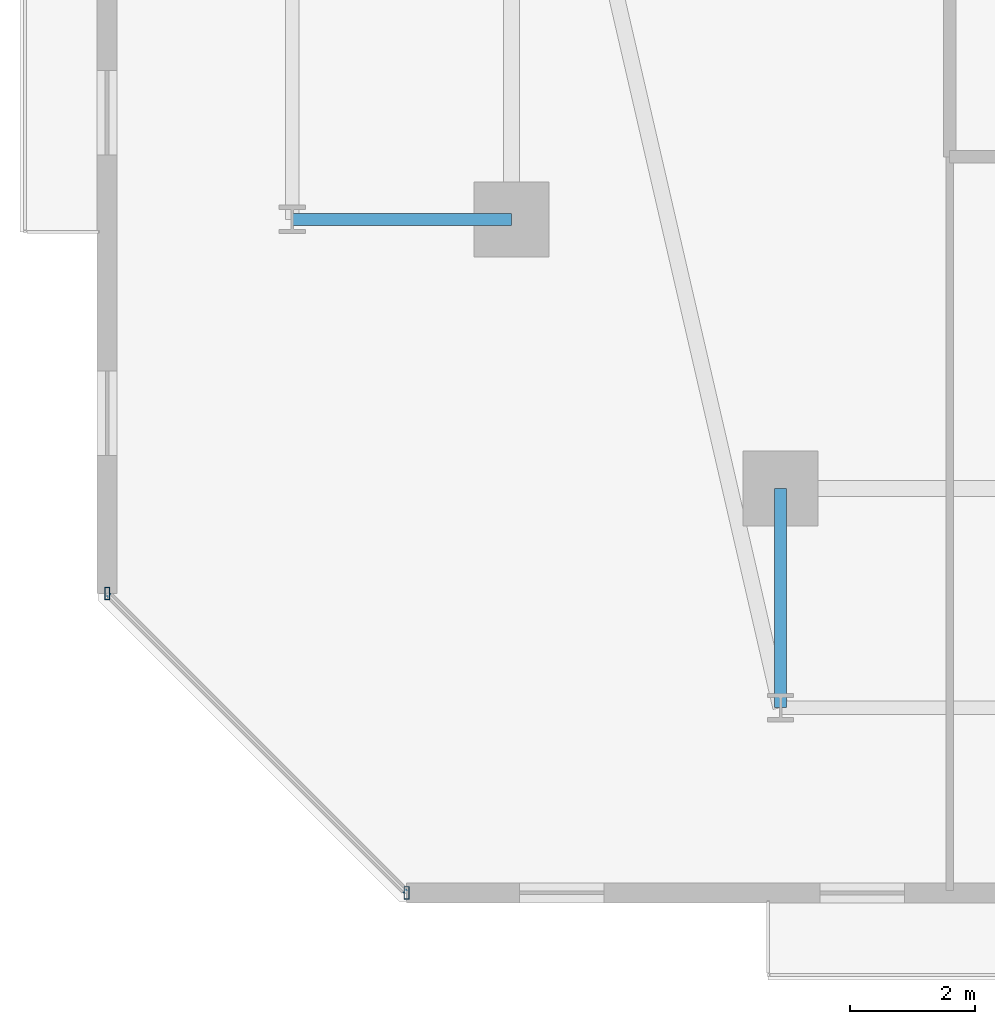
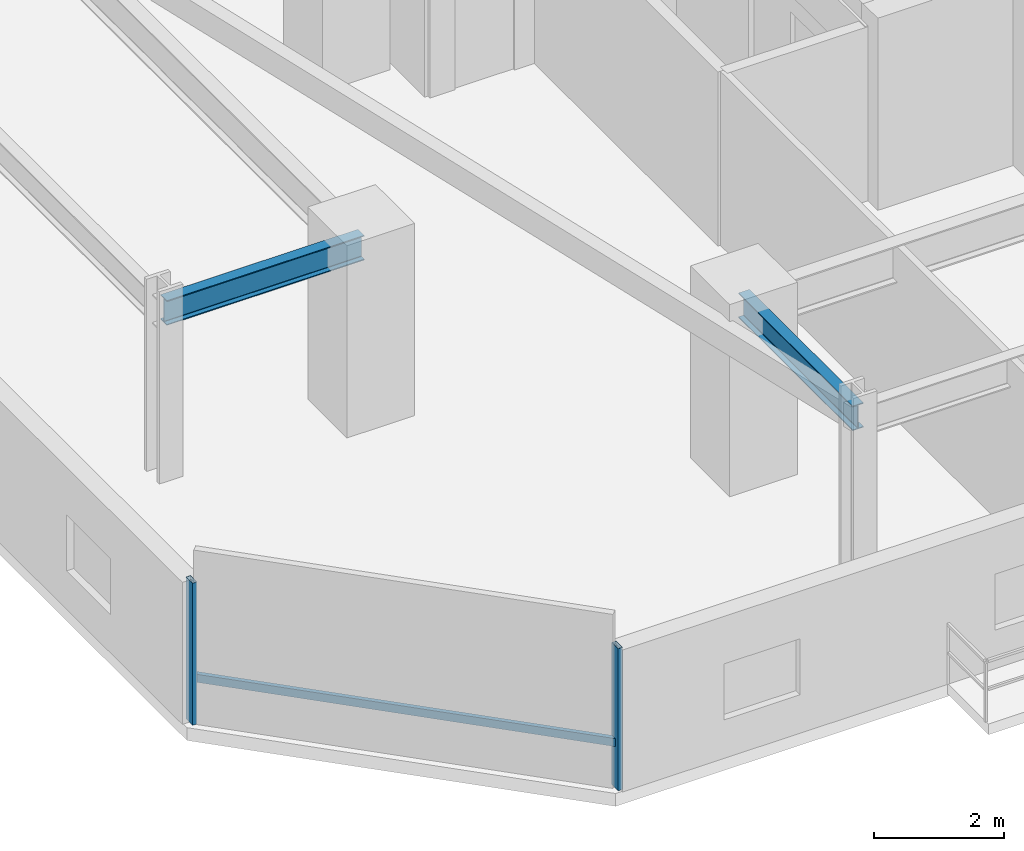
# One storey, part 3 of 34: 3 members, 2 beams, 1 element without a shape of its own.
"""IFC4 building model written with IfcOpenShell, lengths in metres."""

from ifc_helpers import new_model, si_unit, direction, frame, origin, origin_2d, place, context, subcontext, project, spatial, hollow_rectangle, i_section, extrude, material, material_profile, profile_set, type_object, element, aggregate, save


model = new_model("IFC4")

# Units and contexts
model_context = context("Model", 3, precision=1e-05, world=origin(), true_north=direction((0.0, 1.0)))
body_context = subcontext(model_context, "Body", "Model", "MODEL_VIEW")
ifc_project = project(units=[si_unit("LENGTHUNIT", "METRE"), si_unit("AREAUNIT", "SQUARE_METRE"), si_unit("VOLUMEUNIT", "CUBIC_METRE"), si_unit("PLANEANGLEUNIT", "RADIAN"), si_unit("MASSUNIT", "GRAM", prefix="KILO")], contexts=[model_context])

# Site, building, storey
site_placement = place(None, origin())
site = spatial("IfcSite", under=ifc_project, at=site_placement, CompositionType="ELEMENT")
building_placement = place(site_placement, origin())
building = spatial("IfcBuilding", under=site, at=building_placement, Name="Thornwick Lancets Civic Towers", CompositionType="ELEMENT")
storey_placement = place(building_placement, frame((0.0, 0.0, 137.699951171875)))
storey = spatial("IfcBuildingStorey", under=building, at=storey_placement, Name="L36", CompositionType="ELEMENT", Elevation=137.699951171875)

# Beams
ifc_material_1 = material(Name="Steel S355JR", Category="steel")
ifc_material_profile_1 = material_profile(ifc_material_1, i_section(OverallWidth=0.19189453125, OverallDepth=0.46337890625, WebThickness=0.010498046875, FlangeThickness=0.017578125, FilletRadius=0.01025390625, at=origin_2d()), Name="UKB 457x191x89")
ifc_profile_set_1 = profile_set([ifc_material_profile_1], Name="Steel S355JR")
beam_type = type_object("IfcBeamType", Name="BM_JOIST_457_89", PredefinedType="JOIST", material=ifc_profile_set_1)
for number, where, z_axis, x_axis, name in (
    (1, (12.5, 9.699951171875, 3.04833984375), (0.0, -1.0, 0.0), (1.0, 0.0, 0.0), "BM-RAD-L36-A01"),
    (2, (8.199951171875, 14.0, 3.04833984375), (-1.0, 0.0, 0.0), (0.0, -1.0, 0.0), "BM-RAD-L36-A10"),
):
    element("IfcBeam", number, at=place(storey_placement, frame(where, z_axis=z_axis, x_axis=x_axis)), inside=storey, type_object=beam_type, Name=name, PredefinedType="JOIST", context=body_context, shape_type="SweptSolid", body=[
        extrude(i_section(OverallWidth=0.19189453125, OverallDepth=0.46337890625, WebThickness=0.010498046875, FlangeThickness=0.017578125, FilletRadius=0.01025390625, at=origin_2d()), origin(), (0.0, 0.0, 1.0), 3.5),
    ])

# Curtain wall, members
ifc_material_2 = material(Name="Mid-zone chamfered-corner unitised glass curtain wall", Category="glass")
curtain_wall_type = type_object("IfcCurtainWallType", Name="CW_SYS_04", PredefinedType="NOTDEFINED", material=ifc_material_2)
curtain_wall_placement = place(storey_placement, origin())
curtain_wall = element("IfcCurtainWall", 3, at=curtain_wall_placement, inside=storey, type_object=curtain_wall_type, Name="L36 Curtain Wall CW-L36-A-E7", PredefinedType="NOTDEFINED")
ifc_material_3 = material(Name="Thermally broken bronze aluminium S355", Category="steel")
ifc_material_profile_2 = material_profile(ifc_material_3, hollow_rectangle(XDim=0.080078125, YDim=0.199951171875, WallThickness=0.006103515625, at=origin_2d()), Name="RHS 200x80x6")
ifc_profile_set_2 = profile_set([ifc_material_profile_2], Name="Thermally broken bronze aluminium S355")
member_type_1 = type_object("IfcMemberType", Name="CW_MUL_200", PredefinedType="MULLION", material=ifc_profile_set_2)
member_1_placement = place(storey_placement, frame((1.74267578125, 8.02490234375, 0.0), z_axis=(0.0, 0.0, 1.0), x_axis=(1.0, 0.0, 0.0)))
member_1 = element("IfcMember", 4, at=member_1_placement, type_object=member_type_1, Name="CW-L36-A-E7 Mullion 0", PredefinedType="MULLION", context=body_context, shape_type="SweptSolid", body=[
    extrude(hollow_rectangle(XDim=0.080078125, YDim=0.199951171875, WallThickness=0.006103515625, at=origin_2d()), origin(), (0.0, 0.0, 1.0), 2.66015625),
])
member_2_placement = place(storey_placement, frame((6.52490234375, 3.24267578125, 0.0), z_axis=(0.0, 0.0, 1.0), x_axis=(1.0, 0.0, 0.0)))
member_2 = element("IfcMember", 5, at=member_2_placement, type_object=member_type_1, Name="CW-L36-A-E7 Mullion 1", PredefinedType="MULLION", context=body_context, shape_type="SweptSolid", body=[
    extrude(hollow_rectangle(XDim=0.080078125, YDim=0.199951171875, WallThickness=0.006103515625, at=origin_2d()), origin(), (0.0, 0.0, 1.0), 2.66015625),
])
ifc_material_profile_3 = material_profile(ifc_material_3, hollow_rectangle(XDim=0.074951171875, YDim=0.14990234375, WallThickness=0.0048828125, at=origin_2d()), Name="RHS 150x75x5")
ifc_profile_set_3 = profile_set([ifc_material_profile_3], Name="Thermally broken bronze aluminium S355")
member_type_2 = type_object("IfcMemberType", Name="CW_TRN_150", PredefinedType="USERDEFINED", material=ifc_profile_set_3)
member_3_placement = place(storey_placement, frame((1.756591796875, 8.0107421875, 0.85009765625), z_axis=(0.707106781187, -0.707106781187, 0.0), x_axis=(0.707106781187, 0.707106781187, 0.0)))
member_3 = element("IfcMember", 6, at=member_3_placement, type_object=member_type_2, Name="CW-L36-A-E7 Transom 0", ObjectType="TRANSOM", PredefinedType="USERDEFINED", context=body_context, shape_type="SweptSolid", body=[
    extrude(hollow_rectangle(XDim=0.074951171875, YDim=0.14990234375, WallThickness=0.0048828125, at=origin_2d()), origin(), (0.0, 0.0, 1.0), 6.723388671875),
])
aggregate(curtain_wall, [member_1, member_2, member_3])

save(model, "model.ifc")
